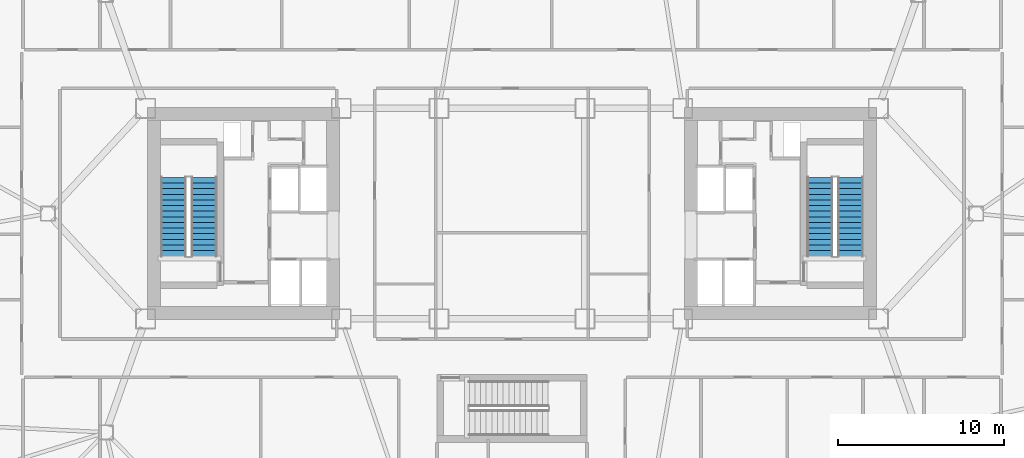
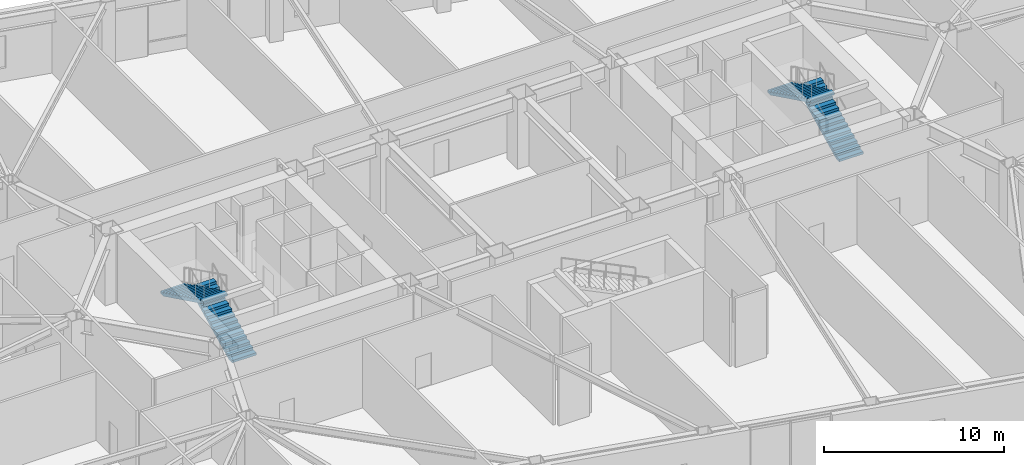
# One storey, part 15 of 21: 4 stair flights, 2 elements without a shape of their own.
"""IFC4 building model written with IfcOpenShell, lengths in metres."""

from ifc_helpers import new_model, si_unit, direction, frame, origin, place, context, subcontext, project, spatial, polyline, outline, extrude, material, type_object, element, aggregate, save


model = new_model("IFC4")

# Units and contexts
model_context = context("Model", 3, precision=1e-05, world=origin(), true_north=direction((0.0, 1.0)))
body_context = subcontext(model_context, "Body", "Model", "MODEL_VIEW")
ifc_project = project(units=[si_unit("LENGTHUNIT", "METRE"), si_unit("AREAUNIT", "SQUARE_METRE"), si_unit("VOLUMEUNIT", "CUBIC_METRE"), si_unit("PLANEANGLEUNIT", "RADIAN"), si_unit("MASSUNIT", "GRAM", prefix="KILO")], contexts=[model_context])

# Site, building, storey
site_placement = place(None, origin())
site = spatial("IfcSite", under=ifc_project, at=site_placement, CompositionType="ELEMENT")
building_placement = place(site_placement, origin())
building = spatial("IfcBuilding", under=site, at=building_placement, Name="Tavrogorsk Clinical Tower", CompositionType="ELEMENT")
storey_placement = place(building_placement, frame((0.0, 0.0, 8.39990234375)))
storey = spatial("IfcBuildingStorey", under=building, at=storey_placement, Name="L01", CompositionType="ELEMENT", Elevation=8.39990234375)

# Stair, stair flights
ifc_material_1 = material(Name="Concrete B60", Category="concrete")
stair_type = type_object("IfcStairType", Name="CoreStairAssembly", PredefinedType="HALF_TURN_STAIR", material=ifc_material_1)
stair_1_placement = place(storey_placement, origin())
stair_1 = element("IfcStair", 1, at=stair_1_placement, inside=storey, type_object=stair_type, Name="L01 ST-W", PredefinedType="HALF_TURN_STAIR")
ifc_material_2 = material(Name="Concrete B60", Category="concrete")
stair_flight_type = type_object("IfcStairFlightType", Name="CoreStairFlight", PredefinedType="STRAIGHT", material=ifc_material_2)
stair_flight_1_placement = place(storey_placement, frame((-18.574951171875, -2.574951171875, 0.0), z_axis=(0.0, 0.0, 1.0), x_axis=(0.0, 1.0, 0.0)))
stair_flight_1 = element("IfcStairFlight", 2, at=stair_flight_1_placement, type_object=stair_flight_type, Name="ST-W flight 1", NumberOfRisers=15, NumberOfTreads=14, PredefinedType="STRAIGHT", RiserHeight=0.166666667, TreadLength=0.34, context=body_context, shape_type="SweptSolid", body=[
    extrude(outline(polyline([(0.0, 0.0), (0.0, 0.166748046875), (0.340087890625, 0.166748046875), (0.340087890625, 0.333251953125), (0.679931640625, 0.333251953125), (0.679931640625, 0.5), (1.02001953125, 0.5), (1.02001953125, 0.666748046875), (1.360107421875, 0.666748046875), (1.360107421875, 0.833251953125), (1.699951171875, 0.833251953125), (1.699951171875, 1.0), (2.0400390625, 1.0), (2.0400390625, 1.166748046875), (2.3798828125, 1.166748046875), (2.3798828125, 1.333251953125), (2.719970703125, 1.333251953125), (2.719970703125, 1.5), (3.06005859375, 1.5), (3.06005859375, 1.666748046875), (3.39990234375, 1.666748046875), (3.39990234375, 1.833251953125), (3.739990234375, 1.833251953125), (3.739990234375, 2.0), (4.080078125, 2.0), (4.080078125, 2.166748046875), (4.419921875, 2.166748046875), (4.419921875, 2.333251953125), (4.760009765625, 2.333251953125), (4.760009765625, 2.5), (4.760009765625, 2.16650390625), (0.340576171875, 0.0), (0.0, 0.0)])), frame((0.0, 0.77490234375, 0.0), z_axis=(0.0, -1.0, 0.0), x_axis=(1.0, 0.0, 0.0)), (0.0, 0.0, 1.0), 1.550048828125),
])
stair_flight_2_placement = place(storey_placement, frame((-20.425048828125, 2.18505859375, 2.5), z_axis=(0.0, 0.0, 1.0), x_axis=(0.0, -1.0, 0.0)))
stair_flight_2 = element("IfcStairFlight", 3, at=stair_flight_2_placement, type_object=stair_flight_type, Name="ST-W flight 2", NumberOfRisers=15, NumberOfTreads=14, PredefinedType="STRAIGHT", RiserHeight=0.166666667, TreadLength=0.34, context=body_context, shape_type="SweptSolid", body=[
    extrude(outline(polyline([(0.0, 0.0), (0.0, 0.166748046875), (0.340087890625, 0.166748046875), (0.340087890625, 0.333251953125), (0.679931640625, 0.333251953125), (0.679931640625, 0.5), (1.02001953125, 0.5), (1.02001953125, 0.666748046875), (1.360107421875, 0.666748046875), (1.360107421875, 0.833251953125), (1.699951171875, 0.833251953125), (1.699951171875, 1.0), (2.0400390625, 1.0), (2.0400390625, 1.166748046875), (2.3798828125, 1.166748046875), (2.3798828125, 1.333251953125), (2.719970703125, 1.333251953125), (2.719970703125, 1.5), (3.06005859375, 1.5), (3.06005859375, 1.666748046875), (3.39990234375, 1.666748046875), (3.39990234375, 1.833251953125), (3.739990234375, 1.833251953125), (3.739990234375, 2.0), (4.080078125, 2.0), (4.080078125, 2.166748046875), (4.419921875, 2.166748046875), (4.419921875, 2.333251953125), (4.760009765625, 2.333251953125), (4.760009765625, 2.5), (4.760009765625, 2.16650390625), (0.340576171875, 0.0), (0.0, 0.0)])), frame((0.0, 0.77490234375, 0.0), z_axis=(0.0, -1.0, 0.0), x_axis=(1.0, 0.0, 0.0)), (0.0, 0.0, 1.0), 1.550048828125),
])
aggregate(stair_1, [stair_flight_1, stair_flight_2])

stair_2_placement = place(storey_placement, origin())
stair_2 = element("IfcStair", 4, at=stair_2_placement, inside=storey, type_object=stair_type, Name="L01 ST-E", PredefinedType="HALF_TURN_STAIR")
stair_flight_3_placement = place(storey_placement, frame((20.425048828125, -2.574951171875, 0.0), z_axis=(0.0, 0.0, 1.0), x_axis=(0.0, 1.0, 0.0)))
stair_flight_3 = element("IfcStairFlight", 5, at=stair_flight_3_placement, type_object=stair_flight_type, Name="ST-E flight 1", NumberOfRisers=15, NumberOfTreads=14, PredefinedType="STRAIGHT", RiserHeight=0.166666667, TreadLength=0.34, context=body_context, shape_type="SweptSolid", body=[
    extrude(outline(polyline([(0.0, 0.0), (0.0, 0.166748046875), (0.340087890625, 0.166748046875), (0.340087890625, 0.333251953125), (0.679931640625, 0.333251953125), (0.679931640625, 0.5), (1.02001953125, 0.5), (1.02001953125, 0.666748046875), (1.360107421875, 0.666748046875), (1.360107421875, 0.833251953125), (1.699951171875, 0.833251953125), (1.699951171875, 1.0), (2.0400390625, 1.0), (2.0400390625, 1.166748046875), (2.3798828125, 1.166748046875), (2.3798828125, 1.333251953125), (2.719970703125, 1.333251953125), (2.719970703125, 1.5), (3.06005859375, 1.5), (3.06005859375, 1.666748046875), (3.39990234375, 1.666748046875), (3.39990234375, 1.833251953125), (3.739990234375, 1.833251953125), (3.739990234375, 2.0), (4.080078125, 2.0), (4.080078125, 2.166748046875), (4.419921875, 2.166748046875), (4.419921875, 2.333251953125), (4.760009765625, 2.333251953125), (4.760009765625, 2.5), (4.760009765625, 2.16650390625), (0.340576171875, 0.0), (0.0, 0.0)])), frame((0.0, 0.77490234375, 0.0), z_axis=(0.0, -1.0, 0.0), x_axis=(1.0, 0.0, 0.0)), (0.0, 0.0, 1.0), 1.550048828125),
])
stair_flight_4_placement = place(storey_placement, frame((18.574951171875, 2.18505859375, 2.5), z_axis=(0.0, 0.0, 1.0), x_axis=(0.0, -1.0, 0.0)))
stair_flight_4 = element("IfcStairFlight", 6, at=stair_flight_4_placement, type_object=stair_flight_type, Name="ST-E flight 2", NumberOfRisers=15, NumberOfTreads=14, PredefinedType="STRAIGHT", RiserHeight=0.166666667, TreadLength=0.34, context=body_context, shape_type="SweptSolid", body=[
    extrude(outline(polyline([(0.0, 0.0), (0.0, 0.166748046875), (0.340087890625, 0.166748046875), (0.340087890625, 0.333251953125), (0.679931640625, 0.333251953125), (0.679931640625, 0.5), (1.02001953125, 0.5), (1.02001953125, 0.666748046875), (1.360107421875, 0.666748046875), (1.360107421875, 0.833251953125), (1.699951171875, 0.833251953125), (1.699951171875, 1.0), (2.0400390625, 1.0), (2.0400390625, 1.166748046875), (2.3798828125, 1.166748046875), (2.3798828125, 1.333251953125), (2.719970703125, 1.333251953125), (2.719970703125, 1.5), (3.06005859375, 1.5), (3.06005859375, 1.666748046875), (3.39990234375, 1.666748046875), (3.39990234375, 1.833251953125), (3.739990234375, 1.833251953125), (3.739990234375, 2.0), (4.080078125, 2.0), (4.080078125, 2.166748046875), (4.419921875, 2.166748046875), (4.419921875, 2.333251953125), (4.760009765625, 2.333251953125), (4.760009765625, 2.5), (4.760009765625, 2.16650390625), (0.340576171875, 0.0), (0.0, 0.0)])), frame((0.0, 0.77490234375, 0.0), z_axis=(0.0, -1.0, 0.0), x_axis=(1.0, 0.0, 0.0)), (0.0, 0.0, 1.0), 1.550048828125),
])
aggregate(stair_2, [stair_flight_3, stair_flight_4])

save(model, "model.ifc")
